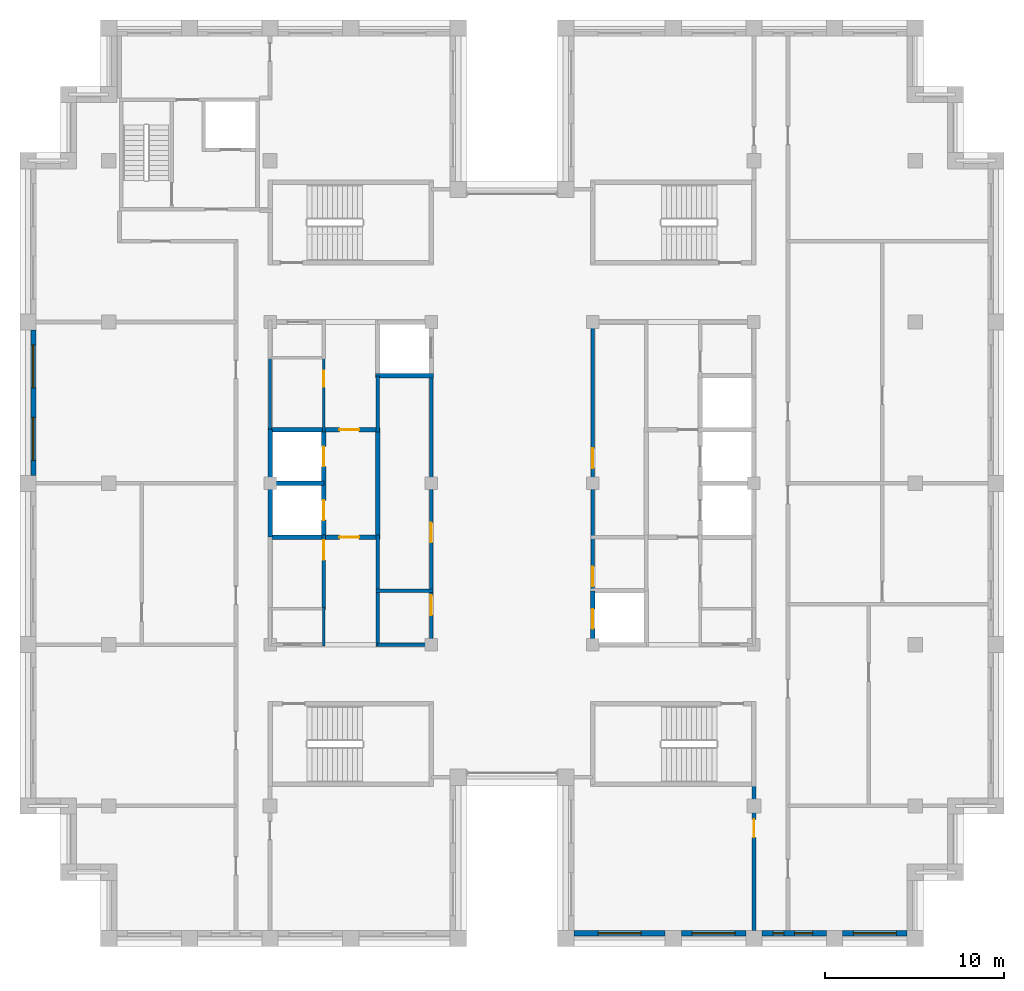
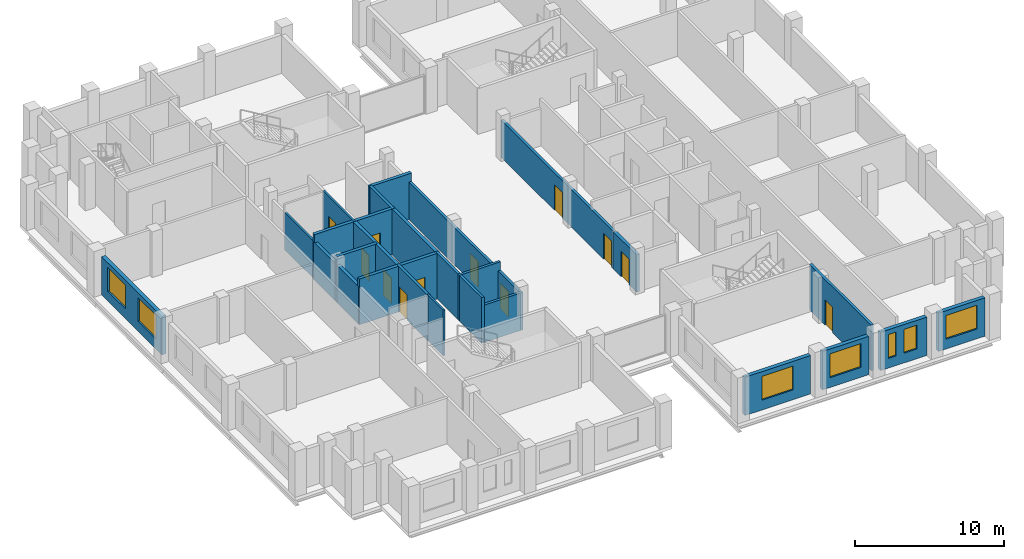
# One storey, part 7 of 13: 24 walls, 12 doors, 7 windows, 19 openings.
"""IFC4 building model written with IfcOpenShell, lengths in metres."""

from ifc_helpers import new_model, si_unit, direction, frame, frame_2d, origin, place, context, subcontext, project, spatial, rectangle, extrude, material, layer, layer_set, type_object, element, fill, save


model = new_model("IFC4")

# Units and contexts
model_context = context("Model", 3, precision=1e-05, world=origin(), true_north=direction((0.0, 1.0)))
body_context = subcontext(model_context, "Body", "Model", "MODEL_VIEW")
ifc_project = project(units=[si_unit("LENGTHUNIT", "METRE"), si_unit("AREAUNIT", "SQUARE_METRE"), si_unit("VOLUMEUNIT", "CUBIC_METRE"), si_unit("PLANEANGLEUNIT", "RADIAN"), si_unit("MASSUNIT", "GRAM", prefix="KILO")], contexts=[model_context])

# Site, building, storey
site_placement = place(None, origin())
site = spatial("IfcSite", under=ifc_project, at=site_placement, CompositionType="ELEMENT")
building_placement = place(site_placement, origin())
building = spatial("IfcBuilding", under=site, at=building_placement, Name="Corbelhall Arena Tower", CompositionType="ELEMENT")
storey_placement = place(building_placement, frame((0.0, 0.0, 334.0)))
storey = spatial("IfcBuildingStorey", under=building, at=storey_placement, Name="L73", CompositionType="ELEMENT", Elevation=334.0)

# Wall, openings, windows
ifc_material_1 = material(Name="Precast concrete C40/50 with granite facing", Category="masonry")
ifc_layer_1 = layer(ifc_material_1, 0.300048828125)
ifc_layer_set_1 = layer_set([ifc_layer_1], Name="EV-IW1 Infill panel 300")
wall_type_1 = type_object("IfcWallType", Name="EV-IW1 Infill panel 300", PredefinedType="SOLIDWALL", material=ifc_layer_set_1)
wall_1_placement = place(storey_placement, frame((-26.699951171875, 8.550048828125, 0.0), z_axis=(0.0, 0.0, 1.0), x_axis=(0.0, -1.0, 0.0)))
wall_1 = element("IfcWall", 1, at=wall_1_placement, inside=storey, type_object=wall_type_1, Name="Infill panel IW1", PredefinedType="SOLIDWALL", context=body_context, shape_type="SweptSolid", body=[
    extrude(rectangle(XDim=8.10009765625, YDim=0.300048828125, at=frame_2d((4.050048828125, 0.0))), origin(), (0.0, 0.0, 1.0), 3.139892578125),
])
opening_1_placement = place(wall_1_placement, frame((0.824951171875, 0.0, 0.800048828125)))
opening_1 = element("IfcOpeningElement", 2, at=opening_1_placement, cuts=wall_1, Name="Opening WN1", PredefinedType="OPENING", context=body_context, shape_type="SweptSolid", body=[
    extrude(rectangle(XDim=2.39990234375, YDim=1.949951171875, at=frame_2d((1.199951171875, 0.97509765625))), frame((0.0, 0.14990234375, 0.0), z_axis=(0.0, -1.0, 0.0), x_axis=(1.0, 0.0, 0.0)), (0.0, 0.0, 1.0), 0.300048828125),
])
opening_2_placement = place(wall_1_placement, frame((4.875, 0.0, 0.800048828125)))
opening_2 = element("IfcOpeningElement", 3, at=opening_2_placement, cuts=wall_1, Name="Opening WN1", PredefinedType="OPENING", context=body_context, shape_type="SweptSolid", body=[
    extrude(rectangle(XDim=2.39990234375, YDim=1.949951171875, at=frame_2d((1.199951171875, 0.97509765625))), frame((0.0, 0.14990234375, 0.0), z_axis=(0.0, -1.0, 0.0), x_axis=(1.0, 0.0, 0.0)), (0.0, 0.0, 1.0), 0.300048828125),
])
ifc_material_2 = material(Name="Aluminium black anodised", Category="aluminium")
window_type_1 = type_object("IfcWindowType", Name="EV-WN1 Office window", PartitioningType="SINGLE_PANEL", PredefinedType="WINDOW", material=ifc_material_2)
window_1_placement = place(opening_1_placement, origin())
window_1 = element("IfcWindow", 4, at=window_1_placement, inside=storey, type_object=window_type_1, Name="Window WN1", OverallHeight=1.949951171875, OverallWidth=2.39990234375, PartitioningType="SINGLE_PANEL", PredefinedType="WINDOW", context=body_context, shape_type="SweptSolid", body=[
    extrude(rectangle(XDim=2.39990234375, YDim=1.949951171875, at=frame_2d((1.199951171875, 0.97509765625))), frame((0.0, 0.030029296875, 0.0), z_axis=(0.0, -1.0, 0.0), x_axis=(1.0, 0.0, 0.0)), (0.0, 0.0, 1.0), 0.06005859375),
])
fill(opening_1, window_1)
window_2_placement = place(opening_2_placement, origin())
window_2 = element("IfcWindow", 5, at=window_2_placement, inside=storey, type_object=window_type_1, Name="Window WN1", OverallHeight=1.949951171875, OverallWidth=2.39990234375, PartitioningType="SINGLE_PANEL", PredefinedType="WINDOW", context=body_context, shape_type="SweptSolid", body=[
    extrude(rectangle(XDim=2.39990234375, YDim=1.949951171875, at=frame_2d((1.199951171875, 0.97509765625))), frame((0.0, 0.030029296875, 0.0), z_axis=(0.0, -1.0, 0.0), x_axis=(1.0, 0.0, 0.0)), (0.0, 0.0, 1.0), 0.06005859375),
])
fill(opening_2, window_2)

# Wall, opening, window
wall_2_placement = place(storey_placement, frame((3.449951171875, -25.10009765625, 0.0), z_axis=(0.0, 0.0, 1.0), x_axis=(1.0, 0.0, 0.0)))
wall_2 = element("IfcWall", 6, at=wall_2_placement, inside=storey, type_object=wall_type_1, Name="Infill panel IW1", PredefinedType="SOLIDWALL", context=body_context, shape_type="SweptSolid", body=[
    extrude(rectangle(XDim=5.10009765625, YDim=0.300048828125, at=frame_2d((2.550048828125, 0.0))), origin(), (0.0, 0.0, 1.0), 3.139892578125),
])
opening_3_placement = place(wall_2_placement, frame((1.35009765625, 0.0, 0.800048828125)))
opening_3 = element("IfcOpeningElement", 7, at=opening_3_placement, cuts=wall_2, Name="Opening WN1", PredefinedType="OPENING", context=body_context, shape_type="SweptSolid", body=[
    extrude(rectangle(XDim=2.39990234375, YDim=1.949951171875, at=frame_2d((1.199951171875, 0.97509765625))), frame((0.0, 0.14990234375, 0.0), z_axis=(0.0, -1.0, 0.0), x_axis=(1.0, 0.0, 0.0)), (0.0, 0.0, 1.0), 0.300048828125),
])
window_3_placement = place(opening_3_placement, origin())
window_3 = element("IfcWindow", 8, at=window_3_placement, inside=storey, type_object=window_type_1, Name="Window WN1", OverallHeight=1.949951171875, OverallWidth=2.39990234375, PartitioningType="SINGLE_PANEL", PredefinedType="WINDOW", context=body_context, shape_type="SweptSolid", body=[
    extrude(rectangle(XDim=2.39990234375, YDim=1.949951171875, at=frame_2d((1.199951171875, 0.97509765625))), frame((0.0, 0.030029296875, 0.0), z_axis=(0.0, -1.0, 0.0), x_axis=(1.0, 0.0, 0.0)), (0.0, 0.0, 1.0), 0.06005859375),
])
fill(opening_3, window_3)

wall_3_placement = place(storey_placement, frame((9.449951171875, -25.10009765625, 0.0), z_axis=(0.0, 0.0, 1.0), x_axis=(1.0, 0.0, 0.0)))
wall_3 = element("IfcWall", 9, at=wall_3_placement, inside=storey, type_object=wall_type_1, Name="Infill panel IW1", PredefinedType="SOLIDWALL", context=body_context, shape_type="SweptSolid", body=[
    extrude(rectangle(XDim=3.60009765625, YDim=0.300048828125, at=frame_2d((1.800048828125, 0.0))), origin(), (0.0, 0.0, 1.0), 3.139892578125),
])
opening_4_placement = place(wall_3_placement, frame((0.60009765625, 0.0, 0.800048828125)))
opening_4 = element("IfcOpeningElement", 10, at=opening_4_placement, cuts=wall_3, Name="Opening WN1", PredefinedType="OPENING", context=body_context, shape_type="SweptSolid", body=[
    extrude(rectangle(XDim=2.39990234375, YDim=1.949951171875, at=frame_2d((1.199951171875, 0.97509765625))), frame((0.0, 0.14990234375, 0.0), z_axis=(0.0, -1.0, 0.0), x_axis=(1.0, 0.0, 0.0)), (0.0, 0.0, 1.0), 0.300048828125),
])
window_4_placement = place(opening_4_placement, origin())
window_4 = element("IfcWindow", 11, at=window_4_placement, inside=storey, type_object=window_type_1, Name="Window WN1", OverallHeight=1.949951171875, OverallWidth=2.39990234375, PartitioningType="SINGLE_PANEL", PredefinedType="WINDOW", context=body_context, shape_type="SweptSolid", body=[
    extrude(rectangle(XDim=2.39990234375, YDim=1.949951171875, at=frame_2d((1.199951171875, 0.97509765625))), frame((0.0, 0.030029296875, 0.0), z_axis=(0.0, -1.0, 0.0), x_axis=(1.0, 0.0, 0.0)), (0.0, 0.0, 1.0), 0.06005859375),
])
fill(opening_4, window_4)

# Wall, openings, windows
wall_4_placement = place(storey_placement, frame((13.949951171875, -25.10009765625, 0.0), z_axis=(0.0, 0.0, 1.0), x_axis=(1.0, 0.0, 0.0)))
wall_4 = element("IfcWall", 12, at=wall_4_placement, inside=storey, type_object=wall_type_1, Name="Infill panel IW1", PredefinedType="SOLIDWALL", context=body_context, shape_type="SweptSolid", body=[
    extrude(rectangle(XDim=3.60009765625, YDim=0.300048828125, at=frame_2d((1.800048828125, 0.0))), origin(), (0.0, 0.0, 1.0), 3.139892578125),
])
opening_5_placement = place(wall_4_placement, frame((0.625, 0.0, 0.800048828125)))
opening_5 = element("IfcOpeningElement", 13, at=opening_5_placement, cuts=wall_4, Name="Opening WN5", PredefinedType="OPENING", context=body_context, shape_type="SweptSolid", body=[
    extrude(rectangle(XDim=0.60009765625, YDim=1.949951171875, at=frame_2d((0.300048828125, 0.97509765625))), frame((0.0, 0.14990234375, 0.0), z_axis=(0.0, -1.0, 0.0), x_axis=(1.0, 0.0, 0.0)), (0.0, 0.0, 1.0), 0.300048828125),
])
opening_6_placement = place(wall_4_placement, frame((1.824951171875, 0.0, 0.800048828125)))
opening_6 = element("IfcOpeningElement", 14, at=opening_6_placement, cuts=wall_4, Name="Opening WN6", PredefinedType="OPENING", context=body_context, shape_type="SweptSolid", body=[
    extrude(rectangle(XDim=1.0, YDim=1.949951171875, at=frame_2d((0.5, 0.97509765625))), frame((0.0, 0.14990234375, 0.0), z_axis=(0.0, -1.0, 0.0), x_axis=(1.0, 0.0, 0.0)), (0.0, 0.0, 1.0), 0.300048828125),
])
window_type_2 = type_object("IfcWindowType", Name="EV-WN5 Office window 600", PartitioningType="SINGLE_PANEL", PredefinedType="WINDOW", material=ifc_material_2)
window_5_placement = place(opening_5_placement, origin())
window_5 = element("IfcWindow", 15, at=window_5_placement, inside=storey, type_object=window_type_2, Name="Window WN5", OverallHeight=1.949951171875, OverallWidth=0.60009765625, PartitioningType="SINGLE_PANEL", PredefinedType="WINDOW", context=body_context, shape_type="SweptSolid", body=[
    extrude(rectangle(XDim=0.60009765625, YDim=1.949951171875, at=frame_2d((0.300048828125, 0.97509765625))), frame((0.0, 0.030029296875, 0.0), z_axis=(0.0, -1.0, 0.0), x_axis=(1.0, 0.0, 0.0)), (0.0, 0.0, 1.0), 0.06005859375),
])
fill(opening_5, window_5)
window_type_3 = type_object("IfcWindowType", Name="EV-WN6 Office window 1000", PartitioningType="SINGLE_PANEL", PredefinedType="WINDOW", material=ifc_material_2)
window_6_placement = place(opening_6_placement, origin())
window_6 = element("IfcWindow", 16, at=window_6_placement, inside=storey, type_object=window_type_3, Name="Window WN6", OverallHeight=1.949951171875, OverallWidth=1.0, PartitioningType="SINGLE_PANEL", PredefinedType="WINDOW", context=body_context, shape_type="SweptSolid", body=[
    extrude(rectangle(XDim=1.0, YDim=1.949951171875, at=frame_2d((0.5, 0.97509765625))), frame((0.0, 0.030029296875, 0.0), z_axis=(0.0, -1.0, 0.0), x_axis=(1.0, 0.0, 0.0)), (0.0, 0.0, 1.0), 0.06005859375),
])
fill(opening_6, window_6)

# Wall, opening, window
wall_5_placement = place(storey_placement, frame((18.449951171875, -25.10009765625, 0.0), z_axis=(0.0, 0.0, 1.0), x_axis=(1.0, 0.0, 0.0)))
wall_5 = element("IfcWall", 17, at=wall_5_placement, inside=storey, type_object=wall_type_1, Name="Infill panel IW1", PredefinedType="SOLIDWALL", context=body_context, shape_type="SweptSolid", body=[
    extrude(rectangle(XDim=3.60009765625, YDim=0.300048828125, at=frame_2d((1.800048828125, 0.0))), origin(), (0.0, 0.0, 1.0), 3.139892578125),
])
opening_7_placement = place(wall_5_placement, frame((0.60009765625, 0.0, 0.800048828125)))
opening_7 = element("IfcOpeningElement", 18, at=opening_7_placement, cuts=wall_5, Name="Opening WN1", PredefinedType="OPENING", context=body_context, shape_type="SweptSolid", body=[
    extrude(rectangle(XDim=2.39990234375, YDim=1.949951171875, at=frame_2d((1.199951171875, 0.97509765625))), frame((0.0, 0.14990234375, 0.0), z_axis=(0.0, -1.0, 0.0), x_axis=(1.0, 0.0, 0.0)), (0.0, 0.0, 1.0), 0.300048828125),
])
window_7_placement = place(opening_7_placement, origin())
window_7 = element("IfcWindow", 19, at=window_7_placement, inside=storey, type_object=window_type_1, Name="Window WN1", OverallHeight=1.949951171875, OverallWidth=2.39990234375, PartitioningType="SINGLE_PANEL", PredefinedType="WINDOW", context=body_context, shape_type="SweptSolid", body=[
    extrude(rectangle(XDim=2.39990234375, YDim=1.949951171875, at=frame_2d((1.199951171875, 0.97509765625))), frame((0.0, 0.030029296875, 0.0), z_axis=(0.0, -1.0, 0.0), x_axis=(1.0, 0.0, 0.0)), (0.0, 0.0, 1.0), 0.06005859375),
])
fill(opening_7, window_7)

# Wall, opening, door
ifc_material_3 = material(Name="Gypsum board on steel stud, acoustic", Category="steel")
ifc_layer_2 = layer(ifc_material_3, 0.199951171875)
ifc_layer_set_2 = layer_set([ifc_layer_2], Name="IN-W-DM200")
wall_type_2 = type_object("IfcWallType", Name="IN-W-DM200", PredefinedType="PARTITIONING", material=ifc_layer_set_2)
wall_6_placement = place(storey_placement, frame((13.5, -24.949951171875, 0.0), z_axis=(0.0, 0.0, 1.0), x_axis=(0.0, 1.0, 0.0)))
wall_6 = element("IfcWall", 20, at=wall_6_placement, inside=storey, type_object=wall_type_2, Name="Partition 018", PredefinedType="PARTITIONING", context=body_context, shape_type="SweptSolid", body=[
    extrude(rectangle(XDim=8.27490234375, YDim=0.199951171875, at=frame_2d((4.137451171875, 0.0))), origin(), (0.0, 0.0, 1.0), 3.739990234375),
])
opening_8_placement = place(wall_6_placement, frame((5.199951171875, 0.0, 0.0)))
opening_8 = element("IfcOpeningElement", 21, at=opening_8_placement, cuts=wall_6, Name="Opening 23022", PredefinedType="OPENING", context=body_context, shape_type="SweptSolid", body=[
    extrude(rectangle(XDim=1.0, YDim=2.10009765625, at=frame_2d((0.5, 1.050048828125))), frame((0.0, 0.10009765625, 0.0), z_axis=(0.0, -1.0, 0.0), x_axis=(1.0, 0.0, 0.0)), (0.0, 0.0, 1.0), 0.199951171875),
])
ifc_material_4 = material(Name="Steel door set", Category="steel")
door_type_1 = type_object("IfcDoorType", Name="IN-D-SW100", OperationType="NOTDEFINED", PredefinedType="DOOR", material=ifc_material_4)
door_1_placement = place(opening_8_placement, origin())
door_1 = element("IfcDoor", 22, at=door_1_placement, inside=storey, type_object=door_type_1, Name="Door 022", OperationType="SINGLE_SWING_LEFT", OverallHeight=2.10009765625, OverallWidth=1.0, PredefinedType="DOOR", context=body_context, shape_type="SweptSolid", body=[
    extrude(rectangle(XDim=1.0, YDim=2.10009765625, at=frame_2d((0.5, 1.050048828125))), frame((0.0, 0.02490234375, 0.0), z_axis=(0.0, -1.0, 0.0), x_axis=(1.0, 0.0, 0.0)), (0.0, 0.0, 1.0), 0.050048828125),
])
fill(opening_8, door_1)

ifc_material_5 = material(Name="Concrete block wall", Category="concrete")
ifc_layer_3 = layer(ifc_material_5, 0.199951171875)
ifc_layer_set_3 = layer_set([ifc_layer_3], Name="IN-W-RS200")
wall_type_3 = type_object("IfcWallType", Name="IN-W-RS200", PredefinedType="SOLIDWALL", material=ifc_layer_set_3)
wall_7_placement = place(storey_placement, frame((-10.5, -7.074951171875, 0.0), z_axis=(0.0, 0.0, 1.0), x_axis=(0.0, 1.0, 0.0)))
wall_7 = element("IfcWall", 23, at=wall_7_placement, inside=storey, type_object=wall_type_3, Name="Partition 030", PredefinedType="SOLIDWALL", context=body_context, shape_type="SweptSolid", body=[
    extrude(rectangle(XDim=4.199951171875, YDim=0.199951171875, at=frame_2d((2.10009765625, 0.0))), origin(), (0.0, 0.0, 1.0), 3.739990234375),
])
opening_9_placement = place(wall_7_placement, frame((2.800048828125, 0.0, 0.0)))
opening_9 = element("IfcOpeningElement", 24, at=opening_9_placement, cuts=wall_7, Name="Opening 23006", PredefinedType="OPENING", context=body_context, shape_type="SweptSolid", body=[
    extrude(rectangle(XDim=1.10009765625, YDim=2.10009765625, at=frame_2d((0.550048828125, 1.050048828125))), frame((0.0, 0.10009765625, 0.0), z_axis=(0.0, -1.0, 0.0), x_axis=(1.0, 0.0, 0.0)), (0.0, 0.0, 1.0), 0.199951171875),
])
door_type_2 = type_object("IfcDoorType", Name="IN-D-FD110", OperationType="NOTDEFINED", PredefinedType="DOOR", material=ifc_material_4)
door_2_placement = place(opening_9_placement, origin())
door_2 = element("IfcDoor", 25, at=door_2_placement, inside=storey, type_object=door_type_2, Name="Door 006", OperationType="SINGLE_SWING_LEFT", OverallHeight=2.10009765625, OverallWidth=1.10009765625, PredefinedType="DOOR", context=body_context, shape_type="SweptSolid", body=[
    extrude(rectangle(XDim=1.10009765625, YDim=2.10009765625, at=frame_2d((0.550048828125, 1.050048828125))), frame((0.0, 0.02490234375, 0.0), z_axis=(0.0, -1.0, 0.0), x_axis=(1.0, 0.0, 0.0)), (0.0, 0.0, 1.0), 0.050048828125),
])
fill(opening_9, door_2)

# Walls
wall_8_placement = place(storey_placement, frame((-7.60009765625, -6.0, 0.0), z_axis=(0.0, 0.0, 1.0), x_axis=(1.0, 0.0, 0.0)))
element("IfcWall", 26, at=wall_8_placement, inside=storey, type_object=wall_type_3, Name="Partition 032", PredefinedType="SOLIDWALL", context=body_context, shape_type="SweptSolid", body=[
    extrude(rectangle(XDim=3.2001953125, YDim=0.199951171875, at=frame_2d((1.60009765625, 0.0))), origin(), (0.0, 0.0, 1.0), 3.739990234375),
])
wall_9_placement = place(storey_placement, frame((-7.5, -9.10009765625, 0.0), z_axis=(0.0, 0.0, 1.0), x_axis=(0.0, 1.0, 0.0)))
element("IfcWall", 27, at=wall_9_placement, inside=storey, type_object=wall_type_3, Name="Partition 033", PredefinedType="SOLIDWALL", context=body_context, shape_type="SweptSolid", body=[
    extrude(rectangle(XDim=6.22509765625, YDim=0.199951171875, at=frame_2d((3.112548828125, 0.0))), origin(), (0.0, 0.0, 1.0), 3.739990234375),
])
wall_10_placement = place(storey_placement, frame((-7.5, 2.875, 0.0), z_axis=(0.0, 0.0, 1.0), x_axis=(0.0, 1.0, 0.0)))
element("IfcWall", 28, at=wall_10_placement, inside=storey, type_object=wall_type_3, Name="Partition 034", PredefinedType="SOLIDWALL", context=body_context, shape_type="SweptSolid", body=[
    extrude(rectangle(XDim=3.125, YDim=0.199951171875, at=frame_2d((1.5625, 0.0))), origin(), (0.0, 0.0, 1.0), 3.739990234375),
])
ifc_layer_4 = layer(ifc_material_5, 0.199951171875)
ifc_layer_set_4 = layer_set([ifc_layer_4], Name="IN-W-RS200 under beam 678 mm")
wall_type_4 = type_object("IfcWallType", Name="IN-W-RS200 under beam 678 mm", PredefinedType="SOLIDWALL", material=ifc_layer_set_4)
wall_11_placement = place(storey_placement, frame((-4.5, -9.0, 0.0), z_axis=(0.0, 0.0, 1.0), x_axis=(-1.0, 0.0, 0.0)))
element("IfcWall", 29, at=wall_11_placement, inside=storey, type_object=wall_type_4, Name="Partition 035", PredefinedType="SOLIDWALL", context=body_context, shape_type="SweptSolid", body=[
    extrude(rectangle(XDim=3.0, YDim=0.199951171875, at=frame_2d((1.5, 0.0))), origin(), (0.0, 0.0, 1.0), 3.061767578125),
])

# Wall, openings, doors
wall_12_placement = place(storey_placement, frame((-4.5, 6.0, 0.0), z_axis=(0.0, 0.0, 1.0), x_axis=(0.0, -1.0, 0.0)))
wall_12 = element("IfcWall", 30, at=wall_12_placement, inside=storey, type_object=wall_type_4, Name="Partition 036", PredefinedType="SOLIDWALL", context=body_context, shape_type="SweptSolid", body=[
    extrude(rectangle(XDim=15.10009765625, YDim=0.199951171875, at=frame_2d((7.550048828125, 0.0))), origin(), (0.0, 0.0, 1.0), 3.061767578125),
])
opening_10_placement = place(wall_12_placement, frame((12.25, 0.0, 0.0)))
opening_10 = element("IfcOpeningElement", 31, at=opening_10_placement, cuts=wall_12, Name="Opening 23001", PredefinedType="OPENING", context=body_context, shape_type="SweptSolid", body=[
    extrude(rectangle(XDim=1.10009765625, YDim=2.10009765625, at=frame_2d((0.550048828125, 1.050048828125))), frame((0.0, 0.10009765625, 0.0), z_axis=(0.0, -1.0, 0.0), x_axis=(1.0, 0.0, 0.0)), (0.0, 0.0, 1.0), 0.199951171875),
])
opening_11_placement = place(wall_12_placement, frame((8.199951171875, 0.0, 0.0)))
opening_11 = element("IfcOpeningElement", 32, at=opening_11_placement, cuts=wall_12, Name="Opening 23002", PredefinedType="OPENING", context=body_context, shape_type="SweptSolid", body=[
    extrude(rectangle(XDim=1.10009765625, YDim=2.10009765625, at=frame_2d((0.550048828125, 1.050048828125))), frame((0.0, 0.10009765625, 0.0), z_axis=(0.0, -1.0, 0.0), x_axis=(1.0, 0.0, 0.0)), (0.0, 0.0, 1.0), 0.199951171875),
])
door_3_placement = place(opening_10_placement, origin())
door_3 = element("IfcDoor", 33, at=door_3_placement, inside=storey, type_object=door_type_2, Name="Door 001", OperationType="SINGLE_SWING_RIGHT", OverallHeight=2.10009765625, OverallWidth=1.10009765625, PredefinedType="DOOR", context=body_context, shape_type="SweptSolid", body=[
    extrude(rectangle(XDim=1.10009765625, YDim=2.10009765625, at=frame_2d((0.550048828125, 1.050048828125))), frame((0.0, 0.02490234375, 0.0), z_axis=(0.0, -1.0, 0.0), x_axis=(1.0, 0.0, 0.0)), (0.0, 0.0, 1.0), 0.050048828125),
])
fill(opening_10, door_3)
door_4_placement = place(opening_11_placement, origin())
door_4 = element("IfcDoor", 34, at=door_4_placement, inside=storey, type_object=door_type_2, Name="Door 002", OperationType="SINGLE_SWING_LEFT", OverallHeight=2.10009765625, OverallWidth=1.10009765625, PredefinedType="DOOR", context=body_context, shape_type="SweptSolid", body=[
    extrude(rectangle(XDim=1.10009765625, YDim=2.10009765625, at=frame_2d((0.550048828125, 1.050048828125))), frame((0.0, 0.02490234375, 0.0), z_axis=(0.0, -1.0, 0.0), x_axis=(1.0, 0.0, 0.0)), (0.0, 0.0, 1.0), 0.050048828125),
])
fill(opening_11, door_4)

wall_13_placement = place(storey_placement, frame((4.5, -6.0, 0.0), z_axis=(0.0, 0.0, 1.0), x_axis=(0.0, 1.0, 0.0)))
wall_13 = element("IfcWall", 35, at=wall_13_placement, inside=storey, type_object=wall_type_4, Name="Partition 038", PredefinedType="SOLIDWALL", context=body_context, shape_type="SweptSolid", body=[
    extrude(rectangle(XDim=15.10009765625, YDim=0.199951171875, at=frame_2d((7.550048828125, 0.0))), origin(), (0.0, 0.0, 1.0), 3.061767578125),
])
opening_12_placement = place(wall_13_placement, frame((0.25, 0.0, 0.0)))
opening_12 = element("IfcOpeningElement", 36, at=opening_12_placement, cuts=wall_13, Name="Opening 23009", PredefinedType="OPENING", context=body_context, shape_type="SweptSolid", body=[
    extrude(rectangle(XDim=1.10009765625, YDim=2.10009765625, at=frame_2d((0.550048828125, 1.050048828125))), frame((0.0, 0.10009765625, 0.0), z_axis=(0.0, -1.0, 0.0), x_axis=(1.0, 0.0, 0.0)), (0.0, 0.0, 1.0), 0.199951171875),
])
opening_13_placement = place(wall_13_placement, frame((6.85009765625, 0.0, 0.0)))
opening_13 = element("IfcOpeningElement", 37, at=opening_13_placement, cuts=wall_13, Name="Opening 23010", PredefinedType="OPENING", context=body_context, shape_type="SweptSolid", body=[
    extrude(rectangle(XDim=1.10009765625, YDim=2.10009765625, at=frame_2d((0.550048828125, 1.050048828125))), frame((0.0, 0.10009765625, 0.0), z_axis=(0.0, -1.0, 0.0), x_axis=(1.0, 0.0, 0.0)), (0.0, 0.0, 1.0), 0.199951171875),
])
door_5_placement = place(opening_12_placement, origin())
door_5 = element("IfcDoor", 38, at=door_5_placement, inside=storey, type_object=door_type_2, Name="Door 009", OperationType="SINGLE_SWING_RIGHT", OverallHeight=2.10009765625, OverallWidth=1.10009765625, PredefinedType="DOOR", context=body_context, shape_type="SweptSolid", body=[
    extrude(rectangle(XDim=1.10009765625, YDim=2.10009765625, at=frame_2d((0.550048828125, 1.050048828125))), frame((0.0, 0.02490234375, 0.0), z_axis=(0.0, -1.0, 0.0), x_axis=(1.0, 0.0, 0.0)), (0.0, 0.0, 1.0), 0.050048828125),
])
fill(opening_12, door_5)
door_6_placement = place(opening_13_placement, origin())
door_6 = element("IfcDoor", 39, at=door_6_placement, inside=storey, type_object=door_type_2, Name="Door 010", OperationType="SINGLE_SWING_LEFT", OverallHeight=2.10009765625, OverallWidth=1.10009765625, PredefinedType="DOOR", context=body_context, shape_type="SweptSolid", body=[
    extrude(rectangle(XDim=1.10009765625, YDim=2.10009765625, at=frame_2d((0.550048828125, 1.050048828125))), frame((0.0, 0.02490234375, 0.0), z_axis=(0.0, -1.0, 0.0), x_axis=(1.0, 0.0, 0.0)), (0.0, 0.0, 1.0), 0.050048828125),
])
fill(opening_13, door_6)

# Wall
ifc_material_6 = material(Name="Concrete C40/50", Category="concrete")
ifc_layer_5 = layer(ifc_material_6, 0.25)
ifc_layer_set_5 = layer_set([ifc_layer_5], Name="IN-W-SH250")
wall_type_5 = type_object("IfcWallType", Name="IN-W-SH250", PredefinedType="SOLIDWALL", material=ifc_layer_set_5)
wall_14_placement = place(storey_placement, frame((-13.625, 0.0, 0.0), z_axis=(0.0, 0.0, 1.0), x_axis=(1.0, 0.0, 0.0)))
element("IfcWall", 40, at=wall_14_placement, inside=storey, type_object=wall_type_5, Name="Shaft wall 047", PredefinedType="SOLIDWALL", context=body_context, shape_type="SweptSolid", body=[
    extrude(rectangle(XDim=3.125, YDim=0.25, at=frame_2d((1.5625, 0.0))), origin(), (0.0, 0.0, 1.0), 3.739990234375),
])

# Wall, opening, door
wall_15_placement = place(storey_placement, frame((-13.625, 3.0, 0.0), z_axis=(0.0, 0.0, 1.0), x_axis=(1.0, 0.0, 0.0)))
wall_15 = element("IfcWall", 41, at=wall_15_placement, inside=storey, type_object=wall_type_5, Name="Shaft wall 048", PredefinedType="SOLIDWALL", context=body_context, shape_type="SweptSolid", body=[
    extrude(rectangle(XDim=6.125, YDim=0.25, at=frame_2d((3.0625, 0.0))), origin(), (0.0, 0.0, 1.0), 3.739990234375),
])
opening_14_placement = place(wall_15_placement, frame((4.0, 0.0, 0.0)))
opening_14 = element("IfcOpeningElement", 42, at=opening_14_placement, cuts=wall_15, Name="Opening 23004", PredefinedType="OPENING", context=body_context, shape_type="SweptSolid", body=[
    extrude(rectangle(XDim=1.10009765625, YDim=2.10009765625, at=frame_2d((0.550048828125, 1.050048828125))), frame((0.0, 0.125, 0.0), z_axis=(0.0, -1.0, 0.0), x_axis=(1.0, 0.0, 0.0)), (0.0, 0.0, 1.0), 0.25),
])
door_7_placement = place(opening_14_placement, origin())
door_7 = element("IfcDoor", 43, at=door_7_placement, inside=storey, type_object=door_type_2, Name="Door 004", OperationType="SINGLE_SWING_LEFT", OverallHeight=2.10009765625, OverallWidth=1.10009765625, PredefinedType="DOOR", context=body_context, shape_type="SweptSolid", body=[
    extrude(rectangle(XDim=1.10009765625, YDim=2.10009765625, at=frame_2d((0.550048828125, 1.050048828125))), frame((0.0, 0.02490234375, 0.0), z_axis=(0.0, -1.0, 0.0), x_axis=(1.0, 0.0, 0.0)), (0.0, 0.0, 1.0), 0.050048828125),
])
fill(opening_14, door_7)

wall_16_placement = place(storey_placement, frame((-13.625, -3.0, 0.0), z_axis=(0.0, 0.0, 1.0), x_axis=(1.0, 0.0, 0.0)))
wall_16 = element("IfcWall", 44, at=wall_16_placement, inside=storey, type_object=wall_type_5, Name="Shaft wall 050", PredefinedType="SOLIDWALL", context=body_context, shape_type="SweptSolid", body=[
    extrude(rectangle(XDim=6.125, YDim=0.25, at=frame_2d((3.0625, 0.0))), origin(), (0.0, 0.0, 1.0), 3.739990234375),
])
opening_15_placement = place(wall_16_placement, frame((4.0, 0.0, 0.0)))
opening_15 = element("IfcOpeningElement", 45, at=opening_15_placement, cuts=wall_16, Name="Opening 23003", PredefinedType="OPENING", context=body_context, shape_type="SweptSolid", body=[
    extrude(rectangle(XDim=1.10009765625, YDim=2.10009765625, at=frame_2d((0.550048828125, 1.050048828125))), frame((0.0, 0.125, 0.0), z_axis=(0.0, -1.0, 0.0), x_axis=(1.0, 0.0, 0.0)), (0.0, 0.0, 1.0), 0.25),
])
door_8_placement = place(opening_15_placement, origin())
door_8 = element("IfcDoor", 46, at=door_8_placement, inside=storey, type_object=door_type_2, Name="Door 003", OperationType="SINGLE_SWING_RIGHT", OverallHeight=2.10009765625, OverallWidth=1.10009765625, PredefinedType="DOOR", context=body_context, shape_type="SweptSolid", body=[
    extrude(rectangle(XDim=1.10009765625, YDim=2.10009765625, at=frame_2d((0.550048828125, 1.050048828125))), frame((0.0, 0.02490234375, 0.0), z_axis=(0.0, -1.0, 0.0), x_axis=(1.0, 0.0, 0.0)), (0.0, 0.0, 1.0), 0.050048828125),
])
fill(opening_15, door_8)

# Wall, openings, doors
wall_17_placement = place(storey_placement, frame((-10.5, -3.125, 0.0), z_axis=(0.0, 0.0, 1.0), x_axis=(0.0, 1.0, 0.0)))
wall_17 = element("IfcWall", 47, at=wall_17_placement, inside=storey, type_object=wall_type_5, Name="Shaft wall 051", PredefinedType="SOLIDWALL", context=body_context, shape_type="SweptSolid", body=[
    extrude(rectangle(XDim=6.25, YDim=0.25, at=frame_2d((3.125, 0.0))), origin(), (0.0, 0.0, 1.0), 3.739990234375),
])
opening_16_placement = place(wall_17_placement, frame((1.074951171875, 0.0, 0.0)))
opening_16 = element("IfcOpeningElement", 48, at=opening_16_placement, cuts=wall_17, Name="Opening LD", PredefinedType="OPENING", context=body_context, shape_type="SweptSolid", body=[
    extrude(rectangle(XDim=1.10009765625, YDim=2.10009765625, at=frame_2d((0.550048828125, 1.050048828125))), frame((0.0, 0.125, 0.0), z_axis=(0.0, -1.0, 0.0), x_axis=(1.0, 0.0, 0.0)), (0.0, 0.0, 1.0), 0.25),
])
opening_17_placement = place(wall_17_placement, frame((4.074951171875, 0.0, 0.0)))
opening_17 = element("IfcOpeningElement", 49, at=opening_17_placement, cuts=wall_17, Name="Opening LD", PredefinedType="OPENING", context=body_context, shape_type="SweptSolid", body=[
    extrude(rectangle(XDim=1.10009765625, YDim=2.10009765625, at=frame_2d((0.550048828125, 1.050048828125))), frame((0.0, 0.125, 0.0), z_axis=(0.0, -1.0, 0.0), x_axis=(1.0, 0.0, 0.0)), (0.0, 0.0, 1.0), 0.25),
])
door_type_3 = type_object("IfcDoorType", Name="IN-D-LD110", OperationType="NOTDEFINED", PredefinedType="DOOR", material=ifc_material_4)
door_9_placement = place(opening_16_placement, origin())
door_9 = element("IfcDoor", 50, at=door_9_placement, inside=storey, type_object=door_type_3, Name="Landing door W3", OperationType="SLIDING_TO_LEFT", OverallHeight=2.10009765625, OverallWidth=1.10009765625, PredefinedType="DOOR", context=body_context, shape_type="SweptSolid", body=[
    extrude(rectangle(XDim=1.10009765625, YDim=2.10009765625, at=frame_2d((0.550048828125, 1.050048828125))), frame((0.0, 0.02490234375, 0.0), z_axis=(0.0, -1.0, 0.0), x_axis=(1.0, 0.0, 0.0)), (0.0, 0.0, 1.0), 0.050048828125),
])
fill(opening_16, door_9)
door_10_placement = place(opening_17_placement, origin())
door_10 = element("IfcDoor", 51, at=door_10_placement, inside=storey, type_object=door_type_3, Name="Landing door W4", OperationType="SLIDING_TO_LEFT", OverallHeight=2.10009765625, OverallWidth=1.10009765625, PredefinedType="DOOR", context=body_context, shape_type="SweptSolid", body=[
    extrude(rectangle(XDim=1.10009765625, YDim=2.10009765625, at=frame_2d((0.550048828125, 1.050048828125))), frame((0.0, 0.02490234375, 0.0), z_axis=(0.0, -1.0, 0.0), x_axis=(1.0, 0.0, 0.0)), (0.0, 0.0, 1.0), 0.050048828125),
])
fill(opening_17, door_10)

# Walls
wall_18_placement = place(storey_placement, frame((-7.625, 6.0, 0.0), z_axis=(0.0, 0.0, 1.0), x_axis=(1.0, 0.0, 0.0)))
element("IfcWall", 52, at=wall_18_placement, inside=storey, type_object=wall_type_5, Name="Shaft wall 052", PredefinedType="SOLIDWALL", context=body_context, shape_type="SweptSolid", body=[
    extrude(rectangle(XDim=3.25, YDim=0.25, at=frame_2d((1.625, 0.0))), origin(), (0.0, 0.0, 1.0), 3.739990234375),
])
wall_19_placement = place(storey_placement, frame((-7.5, -3.125, 0.0), z_axis=(0.0, 0.0, 1.0), x_axis=(0.0, 1.0, 0.0)))
element("IfcWall", 53, at=wall_19_placement, inside=storey, type_object=wall_type_5, Name="Shaft wall 053", PredefinedType="SOLIDWALL", context=body_context, shape_type="SweptSolid", body=[
    extrude(rectangle(XDim=6.25, YDim=0.25, at=frame_2d((3.125, 0.0))), origin(), (0.0, 0.0, 1.0), 3.739990234375),
])
ifc_layer_6 = layer(ifc_material_6, 0.25)
ifc_layer_set_6 = layer_set([ifc_layer_6], Name="IN-W-SH250 under beam 678 mm")
wall_type_6 = type_object("IfcWallType", Name="IN-W-SH250 under beam 678 mm", PredefinedType="SOLIDWALL", material=ifc_layer_set_6)
wall_20_placement = place(storey_placement, frame((-13.5, -3.0, 0.0), z_axis=(0.0, 0.0, 1.0), x_axis=(0.0, 1.0, 0.0)))
element("IfcWall", 54, at=wall_20_placement, inside=storey, type_object=wall_type_6, Name="Shaft wall 049", PredefinedType="SOLIDWALL", context=body_context, shape_type="SweptSolid", body=[
    extrude(rectangle(XDim=6.0, YDim=0.25, at=frame_2d((3.0, 0.0))), origin(), (0.0, 0.0, 1.0), 3.061767578125),
])

# Wall, opening, door
wall_21_placement = place(storey_placement, frame((4.5, -9.125, 0.0), z_axis=(0.0, 0.0, 1.0), x_axis=(0.0, 1.0, 0.0)))
wall_21 = element("IfcWall", 55, at=wall_21_placement, inside=storey, type_object=wall_type_6, Name="Shaft wall 058", PredefinedType="SOLIDWALL", context=body_context, shape_type="SweptSolid", body=[
    extrude(rectangle(XDim=3.125, YDim=0.25, at=frame_2d((1.5625, 0.0))), origin(), (0.0, 0.0, 1.0), 3.061767578125),
])
opening_18_placement = place(wall_21_placement, frame((1.012451171875, 0.0, 0.0)))
opening_18 = element("IfcOpeningElement", 56, at=opening_18_placement, cuts=wall_21, Name="Opening LD", PredefinedType="OPENING", context=body_context, shape_type="SweptSolid", body=[
    extrude(rectangle(XDim=1.10009765625, YDim=2.10009765625, at=frame_2d((0.550048828125, 1.050048828125))), frame((0.0, 0.125, 0.0), z_axis=(0.0, -1.0, 0.0), x_axis=(1.0, 0.0, 0.0)), (0.0, 0.0, 1.0), 0.25),
])
door_11_placement = place(opening_18_placement, origin())
door_11 = element("IfcDoor", 57, at=door_11_placement, inside=storey, type_object=door_type_3, Name="Landing door E1", OperationType="SLIDING_TO_LEFT", OverallHeight=2.10009765625, OverallWidth=1.10009765625, PredefinedType="DOOR", context=body_context, shape_type="SweptSolid", body=[
    extrude(rectangle(XDim=1.10009765625, YDim=2.10009765625, at=frame_2d((0.550048828125, 1.050048828125))), frame((0.0, 0.02490234375, 0.0), z_axis=(0.0, -1.0, 0.0), x_axis=(1.0, 0.0, 0.0)), (0.0, 0.0, 1.0), 0.050048828125),
])
fill(opening_18, door_11)

# Wall
ifc_material_7 = material(Name="Gypsum board on steel stud, moisture resistant", Category="steel")
ifc_layer_7 = layer(ifc_material_7, 0.14990234375)
ifc_layer_set_7 = layer_set([ifc_layer_7], Name="IN-W-WC150")
wall_type_7 = type_object("IfcWallType", Name="IN-W-WC150", PredefinedType="PARTITIONING", material=ifc_layer_set_7)
wall_22_placement = place(storey_placement, frame((-10.5, -9.074951171875, 0.0), z_axis=(0.0, 0.0, 1.0), x_axis=(0.0, 1.0, 0.0)))
element("IfcWall", 58, at=wall_22_placement, inside=storey, type_object=wall_type_7, Name="Partition 088", PredefinedType="PARTITIONING", context=body_context, shape_type="SweptSolid", body=[
    extrude(rectangle(XDim=2.14990234375, YDim=0.14990234375, at=frame_2d((1.074951171875, 0.0))), origin(), (0.0, 0.0, 1.0), 3.739990234375),
])

# Wall, opening, door
wall_23_placement = place(storey_placement, frame((-10.5, 2.875, 0.0), z_axis=(0.0, 0.0, 1.0), x_axis=(0.0, 1.0, 0.0)))
wall_23 = element("IfcWall", 59, at=wall_23_placement, inside=storey, type_object=wall_type_7, Name="Partition 090", PredefinedType="PARTITIONING", context=body_context, shape_type="SweptSolid", body=[
    extrude(rectangle(XDim=4.199951171875, YDim=0.14990234375, at=frame_2d((2.10009765625, 0.0))), origin(), (0.0, 0.0, 1.0), 3.739990234375),
])
opening_19_placement = place(wall_23_placement, frame((2.5, 0.0, 0.0)))
opening_19 = element("IfcOpeningElement", 60, at=opening_19_placement, cuts=wall_23, Name="Opening 23007", PredefinedType="OPENING", context=body_context, shape_type="SweptSolid", body=[
    extrude(rectangle(XDim=0.89990234375, YDim=2.10009765625, at=frame_2d((0.449951171875, 1.050048828125))), frame((0.0, 0.074951171875, 0.0), z_axis=(0.0, -1.0, 0.0), x_axis=(1.0, 0.0, 0.0)), (0.0, 0.0, 1.0), 0.14990234375),
])
ifc_material_8 = material(Name="Timber door set", Category="wood")
door_type_4 = type_object("IfcDoorType", Name="IN-D-SW90", OperationType="NOTDEFINED", PredefinedType="DOOR", material=ifc_material_8)
door_12_placement = place(opening_19_placement, origin())
door_12 = element("IfcDoor", 61, at=door_12_placement, inside=storey, type_object=door_type_4, Name="Door 007", OperationType="SINGLE_SWING_RIGHT", OverallHeight=2.10009765625, OverallWidth=0.89990234375, PredefinedType="DOOR", context=body_context, shape_type="SweptSolid", body=[
    extrude(rectangle(XDim=0.89990234375, YDim=2.10009765625, at=frame_2d((0.449951171875, 1.050048828125))), frame((0.0, 0.02490234375, 0.0), z_axis=(0.0, -1.0, 0.0), x_axis=(1.0, 0.0, 0.0)), (0.0, 0.0, 1.0), 0.050048828125),
])
fill(opening_19, door_12)

# Wall
ifc_layer_8 = layer(ifc_material_7, 0.14990234375)
ifc_layer_set_8 = layer_set([ifc_layer_8], Name="IN-W-WC150 under beam 678 mm")
wall_type_8 = type_object("IfcWallType", Name="IN-W-WC150 under beam 678 mm", PredefinedType="PARTITIONING", material=ifc_layer_set_8)
wall_24_placement = place(storey_placement, frame((-13.5, 3.0, 0.0), z_axis=(0.0, 0.0, 1.0), x_axis=(0.0, 1.0, 0.0)))
element("IfcWall", 62, at=wall_24_placement, inside=storey, type_object=wall_type_8, Name="Partition 087", PredefinedType="PARTITIONING", context=body_context, shape_type="SweptSolid", body=[
    extrude(rectangle(XDim=4.0, YDim=0.14990234375, at=frame_2d((2.0, 0.0))), origin(), (0.0, 0.0, 1.0), 3.061767578125),
])

save(model, "model.ifc")
